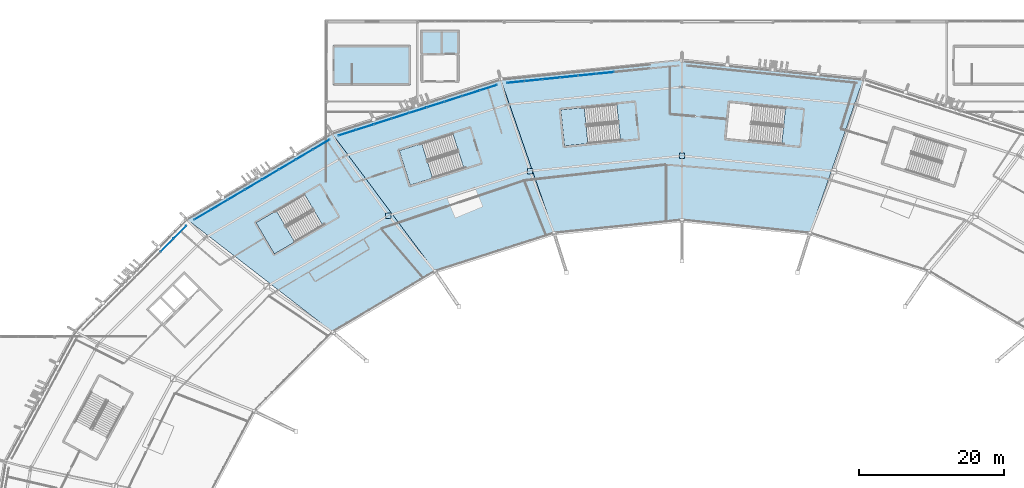
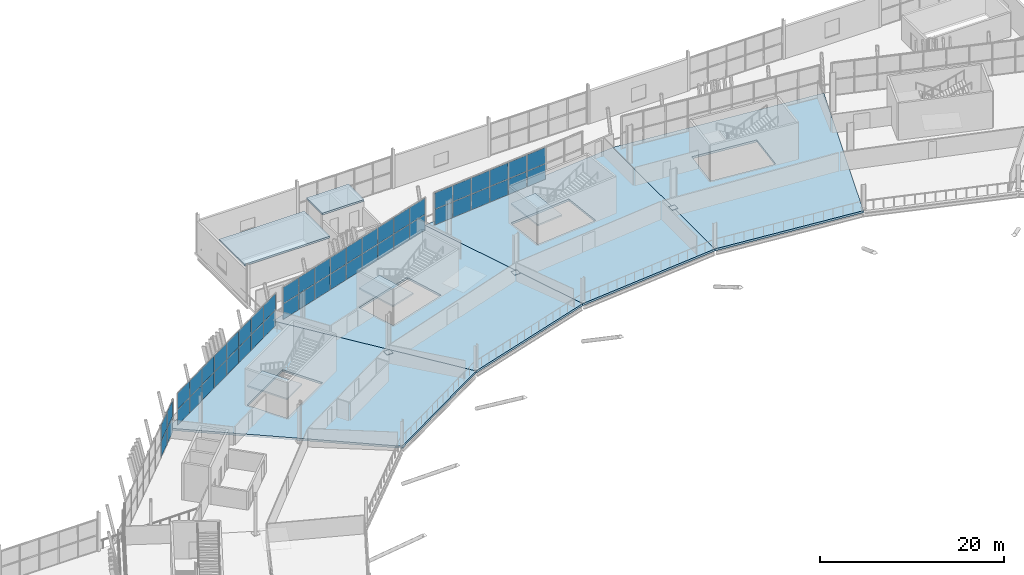
# One storey, part 89 of 168: 53 plates, 9 slabs, 7 elements without a shape of their own.
"""IFC4 building model written with IfcOpenShell, lengths in metres."""

from ifc_helpers import new_model, si_unit, direction, frame, origin, origin_2d, place, context, subcontext, project, spatial, polyline, rectangle, outline, extrude, material, layer, layer_set, type_object, element, aggregate, save


model = new_model("IFC4")

# Units and contexts
model_context = context("Model", 3, precision=1e-05, world=origin(), true_north=direction((0.0, 1.0)))
body_context = subcontext(model_context, "Body", "Model", "MODEL_VIEW")
ifc_project = project(units=[si_unit("LENGTHUNIT", "METRE"), si_unit("AREAUNIT", "SQUARE_METRE"), si_unit("VOLUMEUNIT", "CUBIC_METRE"), si_unit("PLANEANGLEUNIT", "RADIAN"), si_unit("MASSUNIT", "GRAM", prefix="KILO")], contexts=[model_context])

# Site, building, storey
site_placement = place(None, origin())
site = spatial("IfcSite", under=ifc_project, at=site_placement, CompositionType="ELEMENT")
building_placement = place(site_placement, origin())
building = spatial("IfcBuilding", under=site, at=building_placement, Name="Zlatoyarsky Gate Stadium", CompositionType="ELEMENT")
storey_placement = place(building_placement, frame((0.0, 0.0, 15.60009765625)))
storey = spatial("IfcBuildingStorey", under=building, at=storey_placement, Name="L03", CompositionType="ELEMENT", Elevation=15.60009765625)

# Curtain wall, plates
ifc_material_1 = material(Name="Thermally broken anodised aluminium curtain wall", Category="aluminium")
curtain_wall_type_1 = type_object("IfcCurtainWallType", Name="MONUMENTAL ARCHED GATE GLAZING UPPER", PredefinedType="USERDEFINED", material=ifc_material_1)
curtain_wall_1_placement = place(storey_placement, origin())
curtain_wall_1 = element("IfcCurtainWall", 1, at=curtain_wall_1_placement, inside=storey, type_object=curtain_wall_type_1, Name="Curtain wall CW-L03-06", ObjectType="ARCHED GATE GLAZING", PredefinedType="USERDEFINED")
ifc_material_2 = material(Name="Triple-glazed argon low-e architectural glass", Category="glass")
ifc_layer_1 = layer(ifc_material_2, 0.0458984375)
ifc_layer_set_1 = layer_set([ifc_layer_1], Name="Triple-glazed argon low-e architectural glass")
plate_type_1 = type_object("IfcPlateType", Name="ACOUSTIC LAMINATED GATE GLAZING PANEL 46", PredefinedType="CURTAIN_PANEL", material=ifc_layer_set_1)
plate_1_placement = place(storey_placement, frame((100.3935546875, 152.92578125, 0.074951171875), z_axis=(0.0, 0.0, 1.0), x_axis=(-0.994889751747, -0.100967231657, 0.0)))
plate_1 = element("IfcPlate", 2, at=plate_1_placement, type_object=plate_type_1, Name="CW-AG2 panel 3.1", PredefinedType="CURTAIN_PANEL", context=body_context, shape_type="SweptSolid", body=[
    extrude(rectangle(XDim=2.409423828125, YDim=0.0458984375, at=origin_2d()), origin(), (0.0, 0.0, 1.0), 2.03759765625),
])
plate_2_placement = place(storey_placement, frame((100.3935546875, 152.92578125, 2.1875), z_axis=(0.0, 0.0, 1.0), x_axis=(-0.994889751747, -0.100967231657, 0.0)))
plate_2 = element("IfcPlate", 3, at=plate_2_placement, type_object=plate_type_1, Name="CW-AG2 panel 3.2", PredefinedType="CURTAIN_PANEL", context=body_context, shape_type="SweptSolid", body=[
    extrude(rectangle(XDim=2.409423828125, YDim=0.0458984375, at=origin_2d()), origin(), (0.0, 0.0, 1.0), 2.117431640625),
])
plate_3_placement = place(storey_placement, frame((97.921875, 152.675048828125, 0.074951171875), z_axis=(0.0, 0.0, 1.0), x_axis=(-0.994889751747, -0.100967231657, 0.0)))
plate_3 = element("IfcPlate", 4, at=plate_3_placement, type_object=plate_type_1, Name="CW-AG2 panel 4.1", PredefinedType="CURTAIN_PANEL", context=body_context, shape_type="SweptSolid", body=[
    extrude(rectangle(XDim=2.409423828125, YDim=0.0458984375, at=origin_2d()), origin(), (0.0, 0.0, 1.0), 2.03759765625),
])
plate_4_placement = place(storey_placement, frame((97.921875, 152.675048828125, 2.1875), z_axis=(0.0, 0.0, 1.0), x_axis=(-0.994889751747, -0.100967231657, 0.0)))
plate_4 = element("IfcPlate", 5, at=plate_4_placement, type_object=plate_type_1, Name="CW-AG2 panel 4.2", PredefinedType="CURTAIN_PANEL", context=body_context, shape_type="SweptSolid", body=[
    extrude(rectangle(XDim=2.409423828125, YDim=0.0458984375, at=origin_2d()), origin(), (0.0, 0.0, 1.0), 2.117431640625),
])
plate_5_placement = place(storey_placement, frame((95.4501953125, 152.424072265625, 0.074951171875), z_axis=(0.0, 0.0, 1.0), x_axis=(-0.994889751747, -0.100967231657, 0.0)))
plate_5 = element("IfcPlate", 6, at=plate_5_placement, type_object=plate_type_1, Name="CW-AG2 panel 5.1", PredefinedType="CURTAIN_PANEL", context=body_context, shape_type="SweptSolid", body=[
    extrude(rectangle(XDim=2.409423828125, YDim=0.0458984375, at=origin_2d()), origin(), (0.0, 0.0, 1.0), 2.03759765625),
])
plate_6_placement = place(storey_placement, frame((95.4501953125, 152.424072265625, 2.1875), z_axis=(0.0, 0.0, 1.0), x_axis=(-0.994889751747, -0.100967231657, 0.0)))
plate_6 = element("IfcPlate", 7, at=plate_6_placement, type_object=plate_type_1, Name="CW-AG2 panel 5.2", PredefinedType="CURTAIN_PANEL", context=body_context, shape_type="SweptSolid", body=[
    extrude(rectangle(XDim=2.409423828125, YDim=0.0458984375, at=origin_2d()), origin(), (0.0, 0.0, 1.0), 2.117431640625),
])
plate_7_placement = place(storey_placement, frame((92.978515625, 152.17333984375, 0.074951171875), z_axis=(0.0, 0.0, 1.0), x_axis=(-0.994889751747, -0.100967231657, 0.0)))
plate_7 = element("IfcPlate", 8, at=plate_7_placement, type_object=plate_type_1, Name="CW-AG2 panel 6.1", PredefinedType="CURTAIN_PANEL", context=body_context, shape_type="SweptSolid", body=[
    extrude(rectangle(XDim=2.409423828125, YDim=0.0458984375, at=origin_2d()), origin(), (0.0, 0.0, 1.0), 2.03759765625),
])
plate_8_placement = place(storey_placement, frame((92.978515625, 152.17333984375, 2.1875), z_axis=(0.0, 0.0, 1.0), x_axis=(-0.994889751747, -0.100967231657, 0.0)))
plate_8 = element("IfcPlate", 9, at=plate_8_placement, type_object=plate_type_1, Name="CW-AG2 panel 6.2", PredefinedType="CURTAIN_PANEL", context=body_context, shape_type="SweptSolid", body=[
    extrude(rectangle(XDim=2.409423828125, YDim=0.0458984375, at=origin_2d()), origin(), (0.0, 0.0, 1.0), 2.117431640625),
])
plate_9_placement = place(storey_placement, frame((90.507080078125, 151.92236328125, 0.074951171875), z_axis=(0.0, 0.0, 1.0), x_axis=(-0.994889751747, -0.100967231657, 0.0)))
plate_9 = element("IfcPlate", 10, at=plate_9_placement, type_object=plate_type_1, Name="CW-AG2 panel 7.1", PredefinedType="CURTAIN_PANEL", context=body_context, shape_type="SweptSolid", body=[
    extrude(rectangle(XDim=2.409423828125, YDim=0.0458984375, at=origin_2d()), origin(), (0.0, 0.0, 1.0), 2.03759765625),
])
plate_10_placement = place(storey_placement, frame((90.507080078125, 151.92236328125, 2.1875), z_axis=(0.0, 0.0, 1.0), x_axis=(-0.994889751747, -0.100967231657, 0.0)))
plate_10 = element("IfcPlate", 11, at=plate_10_placement, type_object=plate_type_1, Name="CW-AG2 panel 7.2", PredefinedType="CURTAIN_PANEL", context=body_context, shape_type="SweptSolid", body=[
    extrude(rectangle(XDim=2.409423828125, YDim=0.0458984375, at=origin_2d()), origin(), (0.0, 0.0, 1.0), 2.117431640625),
])
plate_11_placement = place(storey_placement, frame((88.053955078125, 151.673583984375, 0.074951171875), z_axis=(0.0, 0.0, 1.0), x_axis=(-0.994889751747, -0.100967231657, 0.0)))
plate_11 = element("IfcPlate", 12, at=plate_11_placement, type_object=plate_type_1, Name="CW-AG2 panel 8.1", PredefinedType="CURTAIN_PANEL", context=body_context, shape_type="SweptSolid", body=[
    extrude(rectangle(XDim=2.371826171875, YDim=0.0458984375, at=origin_2d()), origin(), (0.0, 0.0, 1.0), 2.03759765625),
])
plate_12_placement = place(storey_placement, frame((88.053955078125, 151.673583984375, 2.1875), z_axis=(0.0, 0.0, 1.0), x_axis=(-0.994889751747, -0.100967231657, 0.0)))
plate_12 = element("IfcPlate", 13, at=plate_12_placement, type_object=plate_type_1, Name="CW-AG2 panel 8.2", PredefinedType="CURTAIN_PANEL", context=body_context, shape_type="SweptSolid", body=[
    extrude(rectangle(XDim=2.371826171875, YDim=0.0458984375, at=origin_2d()), origin(), (0.0, 0.0, 1.0), 2.117431640625),
])
aggregate(curtain_wall_1, [plate_1, plate_2, plate_3, plate_4, plate_5, plate_6, plate_7, plate_8, plate_9, plate_10, plate_11, plate_12])

# Slabs
ifc_material_3 = material(Name="Concrete C40/50", Category="concrete")
ifc_layer_2 = layer(ifc_material_3, 0.239990234375)
ifc_layer_set_2 = layer_set([ifc_layer_2], Name="Concrete C40/50")
slab_type_1 = type_object("IfcSlabType", Name="CONCRETE CORE TOP CAP SLAB 240", PredefinedType="ROOF", material=ifc_layer_set_2)
slab_1_placement = place(storey_placement, frame((0.0, 0.0, 3.199951171875)))
element("IfcSlab", 14, at=slab_1_placement, inside=storey, type_object=slab_type_1, Name="ST-31 stair headhouse roof cap", PredefinedType="ROOF", context=body_context, shape_type="SweptSolid", body=[
    extrude(outline(polyline([(62.85009765625, 151.25), (73.550048828125, 151.25), (73.550048828125, 156.75), (62.85009765625, 156.75), (62.85009765625, 151.25)])), origin(), (0.0, 0.0, 1.0), 0.239990234375),
])
slab_2_placement = place(storey_placement, frame((0.0, 0.0, 3.199951171875)))
element("IfcSlab", 15, at=slab_2_placement, inside=storey, type_object=slab_type_1, Name="C5 lift overrun top cap slab", PredefinedType="ROOF", context=body_context, shape_type="SweptSolid", body=[
    extrude(outline(polyline([(80.25, 158.800048828125), (75.0, 158.800048828125), (75.0, 155.39990234375), (80.25, 155.39990234375), (80.25, 158.800048828125)])), origin(), (0.0, 0.0, 1.0), 0.239990234375),
])
ifc_layer_3 = layer(ifc_material_3, 0.280029296875)
ifc_layer_set_3 = layer_set([ifc_layer_3], Name="Concrete C40/50")
slab_type_2 = type_object("IfcSlabType", Name="CONCRETE HOSPITALITY SLAB 280", PredefinedType="FLOOR", material=ifc_layer_set_3)
slab_3_placement = place(storey_placement, frame((0.0, 0.0, -0.280029296875)))
element("IfcSlab", 16, at=slab_3_placement, inside=storey, type_object=slab_type_2, Name="L03 bowl sector 05 slab", PredefinedType="FLOOR", context=body_context, shape_type="SweptSolid", body=[
    extrude(outline(polyline([(111.0, 132.5), (111.0, 154.7021484375), (136.0283203125, 152.15673828125), (128.599609375, 130.711181640625), (111.0, 132.5)]), holes=[polyline([(124.76953125, 143.115966796875), (125.26953125, 148.0908203125), (117.558349609375, 148.865966796875), (117.058349609375, 143.890869140625), (124.76953125, 143.115966796875)])]), origin(), (0.0, 0.0, 1.0), 0.280029296875),
])
slab_4_placement = place(storey_placement, frame((0.0, 0.0, -0.280029296875)))
element("IfcSlab", 17, at=slab_4_placement, inside=storey, type_object=slab_type_2, Name="L03 bowl sector 06 slab", PredefinedType="FLOOR", context=body_context, shape_type="SweptSolid", body=[
    extrude(outline(polyline([(93.400390625, 130.711181640625), (85.9716796875, 152.15673828125), (111.0, 154.7021484375), (111.0, 132.5), (93.400390625, 130.711181640625)]), holes=[polyline([(102.00390625, 148.620849609375), (94.292724609375, 147.845703125), (94.792724609375, 142.870849609375), (102.50390625, 143.64599609375), (102.00390625, 148.620849609375)])]), origin(), (0.0, 0.0, 1.0), 0.280029296875),
])
slab_5_placement = place(storey_placement, frame((0.0, 0.0, -0.280029296875)))
element("IfcSlab", 18, at=slab_5_placement, inside=storey, type_object=slab_type_2, Name="L03 bowl sector 07 slab", PredefinedType="FLOOR", context=body_context, shape_type="SweptSolid", body=[
    extrude(outline(polyline([(77.0, 125.46630859375), (62.64892578125, 144.694091796875), (85.9716796875, 152.15673828125), (93.400390625, 130.711181640625), (77.0, 125.46630859375)]), holes=[polyline([(79.39990234375, 144.562255859375), (72.0107421875, 142.2255859375), (73.518310546875, 137.458251953125), (80.90771484375, 139.794921875), (79.39990234375, 144.562255859375)])]), origin(), (0.0, 0.0, 1.0), 0.280029296875),
])
slab_6_placement = place(storey_placement, frame((0.0, 0.0, -0.280029296875)))
element("IfcSlab", 19, at=slab_6_placement, inside=storey, type_object=slab_type_2, Name="L03 bowl sector 08 slab", PredefinedType="FLOOR", context=body_context, shape_type="SweptSolid", body=[
    extrude(outline(polyline([(62.916748046875, 117.123046875), (42.62109375, 132.822509765625), (62.64892578125, 144.694091796875), (77.0, 125.46630859375), (62.916748046875, 117.123046875)]), holes=[polyline([(58.934326171875, 136.204345703125), (52.247314453125, 132.287109375), (54.774658203125, 127.972900390625), (61.461669921875, 131.89013671875), (58.934326171875, 136.204345703125)])]), origin(), (0.0, 0.0, 1.0), 0.280029296875),
])

# Stair, slab
stair_type = type_object("IfcStairType", Name="CONCRETE DOGLEG EXIT STAIR H5200", PredefinedType="TWO_STRAIGHT_RUN_STAIR", material=ifc_material_3)
stair_1_placement = place(storey_placement, origin())
stair_1 = element("IfcStair", 20, at=stair_1_placement, inside=storey, type_object=stair_type, Name="L03 Exit Stair ST-04", PredefinedType="TWO_STRAIGHT_RUN_STAIR")
ifc_layer_4 = layer(ifc_material_3, 0.199951171875)
ifc_layer_set_4 = layer_set([ifc_layer_4], Name="Concrete C40/50")
slab_type_3 = type_object("IfcSlabType", Name="CONCRETE STAIR LANDING SLAB 200", PredefinedType="LANDING", material=ifc_layer_set_4)
slab_7_placement = place(storey_placement, frame((0.0, 0.0, 2.39990234375)))
slab_7 = element("IfcSlab", 21, at=slab_7_placement, type_object=slab_type_3, Name="ST-DG52 landing 1", PredefinedType="LANDING", context=body_context, shape_type="SweptSolid", body=[
    extrude(outline(polyline([(97.5263671875, 148.170654296875), (94.292724609375, 147.845703125), (94.792724609375, 142.870849609375), (98.0263671875, 143.19580078125), (97.5263671875, 148.170654296875)])), origin(), (0.0, 0.0, 1.0), 0.199951171875),
])
aggregate(stair_1, [slab_7])

stair_2_placement = place(storey_placement, origin())
stair_2 = element("IfcStair", 22, at=stair_2_placement, inside=storey, type_object=stair_type, Name="L03 Exit Stair ST-05", PredefinedType="TWO_STRAIGHT_RUN_STAIR")
slab_8_placement = place(storey_placement, frame((0.0, 0.0, 2.39990234375)))
slab_8 = element("IfcSlab", 23, at=slab_8_placement, type_object=slab_type_3, Name="ST-DG52 landing 1", PredefinedType="LANDING", context=body_context, shape_type="SweptSolid", body=[
    extrude(outline(polyline([(55.051513671875, 133.929931640625), (52.247314453125, 132.287109375), (54.774658203125, 127.972900390625), (57.578857421875, 129.615478515625), (55.051513671875, 133.929931640625)])), origin(), (0.0, 0.0, 1.0), 0.199951171875),
])
aggregate(stair_2, [slab_8])

stair_3_placement = place(storey_placement, origin())
stair_3 = element("IfcStair", 24, at=stair_3_placement, inside=storey, type_object=stair_type, Name="L03 Exit Stair ST-14", PredefinedType="TWO_STRAIGHT_RUN_STAIR")
slab_9_placement = place(storey_placement, frame((0.0, 0.0, 2.39990234375)))
slab_9 = element("IfcSlab", 25, at=slab_9_placement, type_object=slab_type_3, Name="ST-DG52 landing 1", PredefinedType="LANDING", context=body_context, shape_type="SweptSolid", body=[
    extrude(outline(polyline([(75.109375, 143.205322265625), (72.0107421875, 142.2255859375), (73.518310546875, 137.458251953125), (76.616943359375, 138.43798828125), (75.109375, 143.205322265625)])), origin(), (0.0, 0.0, 1.0), 0.199951171875),
])
aggregate(stair_3, [slab_9])

# Plates
ifc_material_4 = material(Name="Steel S355", Category="steel")
ifc_layer_5 = layer(ifc_material_4, 0.0400390625)
ifc_layer_set_5 = layer_set([ifc_layer_5], Name="Steel S355")
plate_type_2 = type_object("IfcPlateType", Name="STEEL COLUMN BASE PLATE 40", PredefinedType="USERDEFINED", material=ifc_layer_set_5)
for number, where, z_axis, x_axis, name in (
    (26, (111.0, 141.5, 0.0), (0.0, 0.0, 1.0), (1.0, 0.0, 0.0), "Column base plate BP-01 at RB-06 L03"),
    (27, (90.03564453125, 139.404296875, 0.0), (0.0, 0.0, 1.0), (1.0, 0.0, 0.0), "Column base plate BP-01 at RB-07 L03"),
    (28, (70.5, 133.260498046875, 0.0), (0.0, 0.0, 1.0), (1.0, 0.0, 0.0), "Column base plate BP-01 at RB-08 L03"),
):
    element("IfcPlate", number, at=place(storey_placement, frame(where, z_axis=z_axis, x_axis=x_axis)), inside=storey, type_object=plate_type_2, Name=name, ObjectType="BASE PLATE", PredefinedType="USERDEFINED", context=body_context, shape_type="SweptSolid", body=[
        extrude(rectangle(XDim=0.75, YDim=0.75, at=origin_2d()), origin(), (0.0, 0.0, 1.0), 0.0400390625),
    ])

# Curtain wall, plates
curtain_wall_type_2 = type_object("IfcCurtainWallType", Name="UNITISED CORPORATE BOX GLAZING L03", PredefinedType="USERDEFINED", material=ifc_material_1)
curtain_wall_2_placement = place(storey_placement, origin())
curtain_wall_2 = element("IfcCurtainWall", 29, at=curtain_wall_2_placement, inside=storey, type_object=curtain_wall_type_2, Name="Curtain wall CW-L03-07", ObjectType="UNITISED GLAZING", PredefinedType="USERDEFINED")
ifc_layer_6 = layer(ifc_material_2, 0.0380859375)
ifc_layer_set_6 = layer_set([ifc_layer_6], Name="Triple-glazed argon low-e architectural glass")
plate_type_3 = type_object("IfcPlateType", Name="TRIPLE GLAZED LOW E CURTAIN PANEL 38", PredefinedType="CURTAIN_PANEL", material=ifc_layer_set_6)
plate_13_placement = place(storey_placement, frame((84.300537109375, 150.88916015625, 0.06494140625), z_axis=(0.0, 0.0, 1.0), x_axis=(-0.952620280552, -0.304162129597, 0.0)))
plate_13 = element("IfcPlate", 30, at=plate_13_placement, type_object=plate_type_3, Name="CW-UG3 panel 1.1", PredefinedType="CURTAIN_PANEL", context=body_context, shape_type="SweptSolid", body=[
    extrude(rectangle(XDim=2.458740234375, YDim=0.0380859375, at=origin_2d()), origin(), (0.0, 0.0, 1.0), 2.052490234375),
])
plate_14_placement = place(storey_placement, frame((84.300537109375, 150.88916015625, 2.18212890625), z_axis=(0.0, 0.0, 1.0), x_axis=(-0.952620280552, -0.304162129597, 0.0)))
plate_14 = element("IfcPlate", 31, at=plate_14_placement, type_object=plate_type_3, Name="CW-UG3 panel 1.2", PredefinedType="CURTAIN_PANEL", context=body_context, shape_type="SweptSolid", body=[
    extrude(rectangle(XDim=2.458740234375, YDim=0.0380859375, at=origin_2d()), origin(), (0.0, 0.0, 1.0), 2.132568359375),
])
plate_15_placement = place(storey_placement, frame((81.881103515625, 150.11669921875, 0.06494140625), z_axis=(0.0, 0.0, 1.0), x_axis=(-0.952620280552, -0.304162129597, 0.0)))
plate_15 = element("IfcPlate", 32, at=plate_15_placement, type_object=plate_type_3, Name="CW-UG3 panel 2.1", PredefinedType="CURTAIN_PANEL", context=body_context, shape_type="SweptSolid", body=[
    extrude(rectangle(XDim=2.4912109375, YDim=0.0380859375, at=origin_2d()), origin(), (0.0, 0.0, 1.0), 2.052490234375),
])
plate_16_placement = place(storey_placement, frame((81.881103515625, 150.11669921875, 2.18212890625), z_axis=(0.0, 0.0, 1.0), x_axis=(-0.952620280552, -0.304162129597, 0.0)))
plate_16 = element("IfcPlate", 33, at=plate_16_placement, type_object=plate_type_3, Name="CW-UG3 panel 2.2", PredefinedType="CURTAIN_PANEL", context=body_context, shape_type="SweptSolid", body=[
    extrude(rectangle(XDim=2.4912109375, YDim=0.0380859375, at=origin_2d()), origin(), (0.0, 0.0, 1.0), 2.132568359375),
])
plate_17_placement = place(storey_placement, frame((79.446044921875, 149.339111328125, 0.06494140625), z_axis=(0.0, 0.0, 1.0), x_axis=(-0.952620280552, -0.304162129597, 0.0)))
plate_17 = element("IfcPlate", 34, at=plate_17_placement, type_object=plate_type_3, Name="CW-UG3 panel 3.1", PredefinedType="CURTAIN_PANEL", context=body_context, shape_type="SweptSolid", body=[
    extrude(rectangle(XDim=2.4912109375, YDim=0.0380859375, at=origin_2d()), origin(), (0.0, 0.0, 1.0), 2.052490234375),
])
plate_18_placement = place(storey_placement, frame((79.446044921875, 149.339111328125, 2.18212890625), z_axis=(0.0, 0.0, 1.0), x_axis=(-0.952620280552, -0.304162129597, 0.0)))
plate_18 = element("IfcPlate", 35, at=plate_18_placement, type_object=plate_type_3, Name="CW-UG3 panel 3.2", PredefinedType="CURTAIN_PANEL", context=body_context, shape_type="SweptSolid", body=[
    extrude(rectangle(XDim=2.4912109375, YDim=0.0380859375, at=origin_2d()), origin(), (0.0, 0.0, 1.0), 2.132568359375),
])
plate_19_placement = place(storey_placement, frame((77.010986328125, 148.561767578125, 0.06494140625), z_axis=(0.0, 0.0, 1.0), x_axis=(-0.952620280552, -0.304162129597, 0.0)))
plate_19 = element("IfcPlate", 36, at=plate_19_placement, type_object=plate_type_3, Name="CW-UG3 panel 4.1", PredefinedType="CURTAIN_PANEL", context=body_context, shape_type="SweptSolid", body=[
    extrude(rectangle(XDim=2.4912109375, YDim=0.0380859375, at=origin_2d()), origin(), (0.0, 0.0, 1.0), 2.052490234375),
])
plate_20_placement = place(storey_placement, frame((77.010986328125, 148.561767578125, 2.18212890625), z_axis=(0.0, 0.0, 1.0), x_axis=(-0.952620280552, -0.304162129597, 0.0)))
plate_20 = element("IfcPlate", 37, at=plate_20_placement, type_object=plate_type_3, Name="CW-UG3 panel 4.2", PredefinedType="CURTAIN_PANEL", context=body_context, shape_type="SweptSolid", body=[
    extrude(rectangle(XDim=2.4912109375, YDim=0.0380859375, at=origin_2d()), origin(), (0.0, 0.0, 1.0), 2.132568359375),
])
plate_21_placement = place(storey_placement, frame((74.575927734375, 147.7841796875, 0.06494140625), z_axis=(0.0, 0.0, 1.0), x_axis=(-0.952620280552, -0.304162129597, 0.0)))
plate_21 = element("IfcPlate", 38, at=plate_21_placement, type_object=plate_type_3, Name="CW-UG3 panel 5.1", PredefinedType="CURTAIN_PANEL", context=body_context, shape_type="SweptSolid", body=[
    extrude(rectangle(XDim=2.4912109375, YDim=0.0380859375, at=origin_2d()), origin(), (0.0, 0.0, 1.0), 2.052490234375),
])
plate_22_placement = place(storey_placement, frame((74.575927734375, 147.7841796875, 2.18212890625), z_axis=(0.0, 0.0, 1.0), x_axis=(-0.952620280552, -0.304162129597, 0.0)))
plate_22 = element("IfcPlate", 39, at=plate_22_placement, type_object=plate_type_3, Name="CW-UG3 panel 5.2", PredefinedType="CURTAIN_PANEL", context=body_context, shape_type="SweptSolid", body=[
    extrude(rectangle(XDim=2.4912109375, YDim=0.0380859375, at=origin_2d()), origin(), (0.0, 0.0, 1.0), 2.132568359375),
])
plate_23_placement = place(storey_placement, frame((72.140869140625, 147.006591796875, 0.06494140625), z_axis=(0.0, 0.0, 1.0), x_axis=(-0.952620280552, -0.304162129597, 0.0)))
plate_23 = element("IfcPlate", 40, at=plate_23_placement, type_object=plate_type_3, Name="CW-UG3 panel 6.1", PredefinedType="CURTAIN_PANEL", context=body_context, shape_type="SweptSolid", body=[
    extrude(rectangle(XDim=2.4912109375, YDim=0.0380859375, at=origin_2d()), origin(), (0.0, 0.0, 1.0), 2.052490234375),
])
plate_24_placement = place(storey_placement, frame((72.140869140625, 147.006591796875, 2.18212890625), z_axis=(0.0, 0.0, 1.0), x_axis=(-0.952620280552, -0.304162129597, 0.0)))
plate_24 = element("IfcPlate", 41, at=plate_24_placement, type_object=plate_type_3, Name="CW-UG3 panel 6.2", PredefinedType="CURTAIN_PANEL", context=body_context, shape_type="SweptSolid", body=[
    extrude(rectangle(XDim=2.4912109375, YDim=0.0380859375, at=origin_2d()), origin(), (0.0, 0.0, 1.0), 2.132568359375),
])
plate_25_placement = place(storey_placement, frame((69.705810546875, 146.229248046875, 0.06494140625), z_axis=(0.0, 0.0, 1.0), x_axis=(-0.952620280552, -0.304162129597, 0.0)))
plate_25 = element("IfcPlate", 42, at=plate_25_placement, type_object=plate_type_3, Name="CW-UG3 panel 7.1", PredefinedType="CURTAIN_PANEL", context=body_context, shape_type="SweptSolid", body=[
    extrude(rectangle(XDim=2.4912109375, YDim=0.0380859375, at=origin_2d()), origin(), (0.0, 0.0, 1.0), 2.052490234375),
])
plate_26_placement = place(storey_placement, frame((69.705810546875, 146.229248046875, 2.18212890625), z_axis=(0.0, 0.0, 1.0), x_axis=(-0.952620280552, -0.304162129597, 0.0)))
plate_26 = element("IfcPlate", 43, at=plate_26_placement, type_object=plate_type_3, Name="CW-UG3 panel 7.2", PredefinedType="CURTAIN_PANEL", context=body_context, shape_type="SweptSolid", body=[
    extrude(rectangle(XDim=2.4912109375, YDim=0.0380859375, at=origin_2d()), origin(), (0.0, 0.0, 1.0), 2.132568359375),
])
plate_27_placement = place(storey_placement, frame((67.270751953125, 145.45166015625, 0.06494140625), z_axis=(0.0, 0.0, 1.0), x_axis=(-0.952620280552, -0.304162129597, 0.0)))
plate_27 = element("IfcPlate", 44, at=plate_27_placement, type_object=plate_type_3, Name="CW-UG3 panel 8.1", PredefinedType="CURTAIN_PANEL", context=body_context, shape_type="SweptSolid", body=[
    extrude(rectangle(XDim=2.4912109375, YDim=0.0380859375, at=origin_2d()), origin(), (0.0, 0.0, 1.0), 2.052490234375),
])
plate_28_placement = place(storey_placement, frame((67.270751953125, 145.45166015625, 2.18212890625), z_axis=(0.0, 0.0, 1.0), x_axis=(-0.952620280552, -0.304162129597, 0.0)))
plate_28 = element("IfcPlate", 45, at=plate_28_placement, type_object=plate_type_3, Name="CW-UG3 panel 8.2", PredefinedType="CURTAIN_PANEL", context=body_context, shape_type="SweptSolid", body=[
    extrude(rectangle(XDim=2.4912109375, YDim=0.0380859375, at=origin_2d()), origin(), (0.0, 0.0, 1.0), 2.132568359375),
])
plate_29_placement = place(storey_placement, frame((64.85107421875, 144.67919921875, 0.06494140625), z_axis=(0.0, 0.0, 1.0), x_axis=(-0.952620280552, -0.304162129597, 0.0)))
plate_29 = element("IfcPlate", 46, at=plate_29_placement, type_object=plate_type_3, Name="CW-UG3 panel 9.1", PredefinedType="CURTAIN_PANEL", context=body_context, shape_type="SweptSolid", body=[
    extrude(rectangle(XDim=2.458740234375, YDim=0.0380859375, at=origin_2d()), origin(), (0.0, 0.0, 1.0), 2.052490234375),
])
plate_30_placement = place(storey_placement, frame((64.85107421875, 144.67919921875, 2.18212890625), z_axis=(0.0, 0.0, 1.0), x_axis=(-0.952620280552, -0.304162129597, 0.0)))
plate_30 = element("IfcPlate", 47, at=plate_30_placement, type_object=plate_type_3, Name="CW-UG3 panel 9.2", PredefinedType="CURTAIN_PANEL", context=body_context, shape_type="SweptSolid", body=[
    extrude(rectangle(XDim=2.458740234375, YDim=0.0380859375, at=origin_2d()), origin(), (0.0, 0.0, 1.0), 2.132568359375),
])
aggregate(curtain_wall_2, [plate_13, plate_14, plate_15, plate_16, plate_17, plate_18, plate_19, plate_20, plate_21, plate_22, plate_23, plate_24, plate_25, plate_26, plate_27, plate_28, plate_29, plate_30])

curtain_wall_3_placement = place(storey_placement, origin())
curtain_wall_3 = element("IfcCurtainWall", 48, at=curtain_wall_3_placement, inside=storey, type_object=curtain_wall_type_2, Name="Curtain wall CW-L03-08", ObjectType="UNITISED GLAZING", PredefinedType="USERDEFINED")
plate_31_placement = place(storey_placement, frame((61.252685546875, 143.054931640625, 0.06494140625), z_axis=(0.0, 0.0, 1.0), x_axis=(-0.860708284678, -0.509098466593, 0.0)))
plate_31 = element("IfcPlate", 49, at=plate_31_placement, type_object=plate_type_3, Name="CW-UG3 panel 1.1", PredefinedType="CURTAIN_PANEL", context=body_context, shape_type="SweptSolid", body=[
    extrude(rectangle(XDim=2.62744140625, YDim=0.0380859375, at=origin_2d()), origin(), (0.0, 0.0, 1.0), 2.052490234375),
])
plate_32_placement = place(storey_placement, frame((61.252685546875, 143.054931640625, 2.18212890625), z_axis=(0.0, 0.0, 1.0), x_axis=(-0.860708284678, -0.509098466593, 0.0)))
plate_32 = element("IfcPlate", 50, at=plate_32_placement, type_object=plate_type_3, Name="CW-UG3 panel 1.2", PredefinedType="CURTAIN_PANEL", context=body_context, shape_type="SweptSolid", body=[
    extrude(rectangle(XDim=2.62744140625, YDim=0.0380859375, at=origin_2d()), origin(), (0.0, 0.0, 1.0), 2.132568359375),
])
plate_33_placement = place(storey_placement, frame((58.921142578125, 141.676025390625, 0.06494140625), z_axis=(0.0, 0.0, 1.0), x_axis=(-0.860708284678, -0.509098466593, 0.0)))
plate_33 = element("IfcPlate", 51, at=plate_33_placement, type_object=plate_type_3, Name="CW-UG3 panel 2.1", PredefinedType="CURTAIN_PANEL", context=body_context, shape_type="SweptSolid", body=[
    extrude(rectangle(XDim=2.66015625, YDim=0.0380859375, at=origin_2d()), origin(), (0.0, 0.0, 1.0), 2.052490234375),
])
plate_34_placement = place(storey_placement, frame((58.921142578125, 141.676025390625, 2.18212890625), z_axis=(0.0, 0.0, 1.0), x_axis=(-0.860708284678, -0.509098466593, 0.0)))
plate_34 = element("IfcPlate", 52, at=plate_34_placement, type_object=plate_type_3, Name="CW-UG3 panel 2.2", PredefinedType="CURTAIN_PANEL", context=body_context, shape_type="SweptSolid", body=[
    extrude(rectangle(XDim=2.66015625, YDim=0.0380859375, at=origin_2d()), origin(), (0.0, 0.0, 1.0), 2.132568359375),
])
plate_35_placement = place(storey_placement, frame((56.57568359375, 140.28857421875, 0.06494140625), z_axis=(0.0, 0.0, 1.0), x_axis=(-0.860708284678, -0.509098466593, 0.0)))
plate_35 = element("IfcPlate", 53, at=plate_35_placement, type_object=plate_type_3, Name="CW-UG3 panel 3.1", PredefinedType="CURTAIN_PANEL", context=body_context, shape_type="SweptSolid", body=[
    extrude(rectangle(XDim=2.66015625, YDim=0.0380859375, at=origin_2d()), origin(), (0.0, 0.0, 1.0), 2.052490234375),
])
plate_36_placement = place(storey_placement, frame((56.57568359375, 140.28857421875, 2.18212890625), z_axis=(0.0, 0.0, 1.0), x_axis=(-0.860708284678, -0.509098466593, 0.0)))
plate_36 = element("IfcPlate", 54, at=plate_36_placement, type_object=plate_type_3, Name="CW-UG3 panel 3.2", PredefinedType="CURTAIN_PANEL", context=body_context, shape_type="SweptSolid", body=[
    extrude(rectangle(XDim=2.66015625, YDim=0.0380859375, at=origin_2d()), origin(), (0.0, 0.0, 1.0), 2.132568359375),
])
plate_37_placement = place(storey_placement, frame((54.230224609375, 138.9013671875, 0.06494140625), z_axis=(0.0, 0.0, 1.0), x_axis=(-0.860708284678, -0.509098466593, 0.0)))
plate_37 = element("IfcPlate", 55, at=plate_37_placement, type_object=plate_type_3, Name="CW-UG3 panel 4.1", PredefinedType="CURTAIN_PANEL", context=body_context, shape_type="SweptSolid", body=[
    extrude(rectangle(XDim=2.66015625, YDim=0.0380859375, at=origin_2d()), origin(), (0.0, 0.0, 1.0), 2.052490234375),
])
plate_38_placement = place(storey_placement, frame((54.230224609375, 138.9013671875, 2.18212890625), z_axis=(0.0, 0.0, 1.0), x_axis=(-0.860708284678, -0.509098466593, 0.0)))
plate_38 = element("IfcPlate", 56, at=plate_38_placement, type_object=plate_type_3, Name="CW-UG3 panel 4.2", PredefinedType="CURTAIN_PANEL", context=body_context, shape_type="SweptSolid", body=[
    extrude(rectangle(XDim=2.66015625, YDim=0.0380859375, at=origin_2d()), origin(), (0.0, 0.0, 1.0), 2.132568359375),
])
plate_39_placement = place(storey_placement, frame((51.884765625, 137.513916015625, 0.06494140625), z_axis=(0.0, 0.0, 1.0), x_axis=(-0.860708284678, -0.509098466593, 0.0)))
plate_39 = element("IfcPlate", 57, at=plate_39_placement, type_object=plate_type_3, Name="CW-UG3 panel 5.1", PredefinedType="CURTAIN_PANEL", context=body_context, shape_type="SweptSolid", body=[
    extrude(rectangle(XDim=2.66015625, YDim=0.0380859375, at=origin_2d()), origin(), (0.0, 0.0, 1.0), 2.052490234375),
])
plate_40_placement = place(storey_placement, frame((51.884765625, 137.513916015625, 2.18212890625), z_axis=(0.0, 0.0, 1.0), x_axis=(-0.860708284678, -0.509098466593, 0.0)))
plate_40 = element("IfcPlate", 58, at=plate_40_placement, type_object=plate_type_3, Name="CW-UG3 panel 5.2", PredefinedType="CURTAIN_PANEL", context=body_context, shape_type="SweptSolid", body=[
    extrude(rectangle(XDim=2.66015625, YDim=0.0380859375, at=origin_2d()), origin(), (0.0, 0.0, 1.0), 2.132568359375),
])
plate_41_placement = place(storey_placement, frame((49.539306640625, 136.126708984375, 0.06494140625), z_axis=(0.0, 0.0, 1.0), x_axis=(-0.860708284678, -0.509098466593, 0.0)))
plate_41 = element("IfcPlate", 59, at=plate_41_placement, type_object=plate_type_3, Name="CW-UG3 panel 6.1", PredefinedType="CURTAIN_PANEL", context=body_context, shape_type="SweptSolid", body=[
    extrude(rectangle(XDim=2.66015625, YDim=0.0380859375, at=origin_2d()), origin(), (0.0, 0.0, 1.0), 2.052490234375),
])
plate_42_placement = place(storey_placement, frame((49.539306640625, 136.126708984375, 2.18212890625), z_axis=(0.0, 0.0, 1.0), x_axis=(-0.860708284678, -0.509098466593, 0.0)))
plate_42 = element("IfcPlate", 60, at=plate_42_placement, type_object=plate_type_3, Name="CW-UG3 panel 6.2", PredefinedType="CURTAIN_PANEL", context=body_context, shape_type="SweptSolid", body=[
    extrude(rectangle(XDim=2.66015625, YDim=0.0380859375, at=origin_2d()), origin(), (0.0, 0.0, 1.0), 2.132568359375),
])
plate_43_placement = place(storey_placement, frame((47.19384765625, 134.7392578125, 0.06494140625), z_axis=(0.0, 0.0, 1.0), x_axis=(-0.860708284678, -0.509098466593, 0.0)))
plate_43 = element("IfcPlate", 61, at=plate_43_placement, type_object=plate_type_3, Name="CW-UG3 panel 7.1", PredefinedType="CURTAIN_PANEL", context=body_context, shape_type="SweptSolid", body=[
    extrude(rectangle(XDim=2.66015625, YDim=0.0380859375, at=origin_2d()), origin(), (0.0, 0.0, 1.0), 2.052490234375),
])
plate_44_placement = place(storey_placement, frame((47.19384765625, 134.7392578125, 2.18212890625), z_axis=(0.0, 0.0, 1.0), x_axis=(-0.860708284678, -0.509098466593, 0.0)))
plate_44 = element("IfcPlate", 62, at=plate_44_placement, type_object=plate_type_3, Name="CW-UG3 panel 7.2", PredefinedType="CURTAIN_PANEL", context=body_context, shape_type="SweptSolid", body=[
    extrude(rectangle(XDim=2.66015625, YDim=0.0380859375, at=origin_2d()), origin(), (0.0, 0.0, 1.0), 2.132568359375),
])
plate_45_placement = place(storey_placement, frame((44.8623046875, 133.3603515625, 0.06494140625), z_axis=(0.0, 0.0, 1.0), x_axis=(-0.860708284678, -0.509098466593, 0.0)))
plate_45 = element("IfcPlate", 63, at=plate_45_placement, type_object=plate_type_3, Name="CW-UG3 panel 8.1", PredefinedType="CURTAIN_PANEL", context=body_context, shape_type="SweptSolid", body=[
    extrude(rectangle(XDim=2.62744140625, YDim=0.0380859375, at=origin_2d()), origin(), (0.0, 0.0, 1.0), 2.052490234375),
])
plate_46_placement = place(storey_placement, frame((44.8623046875, 133.3603515625, 2.18212890625), z_axis=(0.0, 0.0, 1.0), x_axis=(-0.860708284678, -0.509098466593, 0.0)))
plate_46 = element("IfcPlate", 64, at=plate_46_placement, type_object=plate_type_3, Name="CW-UG3 panel 8.2", PredefinedType="CURTAIN_PANEL", context=body_context, shape_type="SweptSolid", body=[
    extrude(rectangle(XDim=2.62744140625, YDim=0.0380859375, at=origin_2d()), origin(), (0.0, 0.0, 1.0), 2.132568359375),
])
aggregate(curtain_wall_3, [plate_31, plate_32, plate_33, plate_34, plate_35, plate_36, plate_37, plate_38, plate_39, plate_40, plate_41, plate_42, plate_43, plate_44, plate_45, plate_46])

curtain_wall_4_placement = place(storey_placement, origin())
curtain_wall_4 = element("IfcCurtainWall", 65, at=curtain_wall_4_placement, inside=storey, type_object=curtain_wall_type_2, Name="Curtain wall CW-L03-09", ObjectType="UNITISED GLAZING", PredefinedType="USERDEFINED")
plate_47_placement = place(storey_placement, frame((41.75, 130.955078125, 0.06494140625), z_axis=(0.0, 0.0, 1.0), x_axis=(-0.705488725202, -0.708721143054, 0.0)))
plate_47 = element("IfcPlate", 66, at=plate_47_placement, type_object=plate_type_3, Name="CW-UG3 panel 1.1", PredefinedType="CURTAIN_PANEL", context=body_context, shape_type="SweptSolid", body=[
    extrude(rectangle(XDim=2.443115234375, YDim=0.0380859375, at=origin_2d()), origin(), (0.0, 0.0, 1.0), 2.052490234375),
])
plate_48_placement = place(storey_placement, frame((41.75, 130.955078125, 2.18212890625), z_axis=(0.0, 0.0, 1.0), x_axis=(-0.705488725202, -0.708721143054, 0.0)))
plate_48 = element("IfcPlate", 67, at=plate_48_placement, type_object=plate_type_3, Name="CW-UG3 panel 1.2", PredefinedType="CURTAIN_PANEL", context=body_context, shape_type="SweptSolid", body=[
    extrude(rectangle(XDim=2.443115234375, YDim=0.0380859375, at=origin_2d()), origin(), (0.0, 0.0, 1.0), 2.132568359375),
])
plate_49_placement = place(storey_placement, frame((39.968994140625, 129.165771484375, 0.06494140625), z_axis=(0.0, 0.0, 1.0), x_axis=(-0.705488725202, -0.708721143054, 0.0)))
plate_49 = element("IfcPlate", 68, at=plate_49_placement, type_object=plate_type_3, Name="CW-UG3 panel 2.1", PredefinedType="CURTAIN_PANEL", context=body_context, shape_type="SweptSolid", body=[
    extrude(rectangle(XDim=2.4755859375, YDim=0.0380859375, at=origin_2d()), origin(), (0.0, 0.0, 1.0), 2.052490234375),
])
plate_50_placement = place(storey_placement, frame((39.968994140625, 129.165771484375, 2.18212890625), z_axis=(0.0, 0.0, 1.0), x_axis=(-0.705488725202, -0.708721143054, 0.0)))
plate_50 = element("IfcPlate", 69, at=plate_50_placement, type_object=plate_type_3, Name="CW-UG3 panel 2.2", PredefinedType="CURTAIN_PANEL", context=body_context, shape_type="SweptSolid", body=[
    extrude(rectangle(XDim=2.4755859375, YDim=0.0380859375, at=origin_2d()), origin(), (0.0, 0.0, 1.0), 2.132568359375),
])
aggregate(curtain_wall_4, [plate_47, plate_48, plate_49, plate_50])

save(model, "model.ifc")
